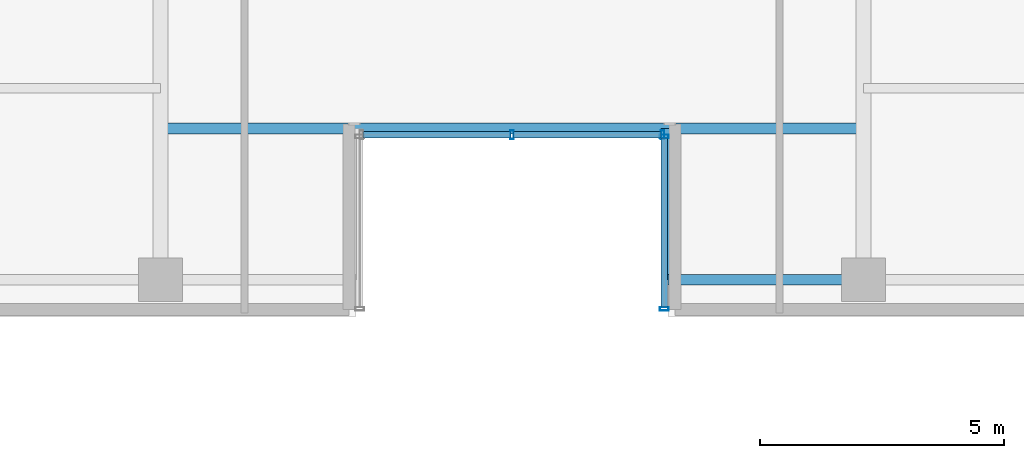
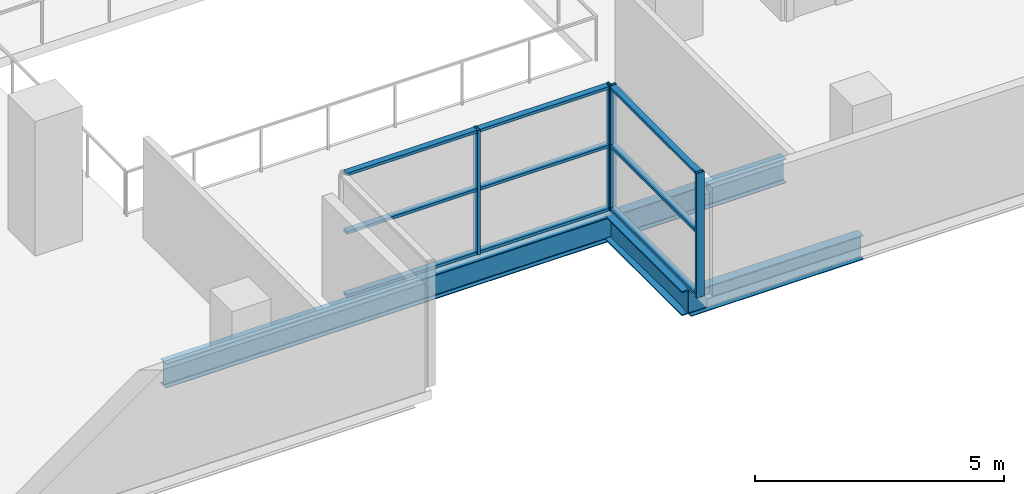
# One storey, part 9 of 30: 13 members, 3 beams, 2 elements without a shape of their own.
"""IFC4 building model written with IfcOpenShell, lengths in metres."""

from ifc_helpers import new_model, si_unit, direction, frame, origin, origin_2d, place, context, subcontext, project, spatial, hollow_rectangle, i_section, extrude, source, transform, mapped, material, layer, layer_set, material_profile, profile_set, type_object, element, aggregate, save


model = new_model("IFC4")

# Units and contexts
model_context = context("Model", 3, precision=1e-05, world=origin(), true_north=direction((0.0, 1.0)))
body_context = subcontext(model_context, "Body", "Model", "MODEL_VIEW")
ifc_project = project(units=[si_unit("LENGTHUNIT", "METRE"), si_unit("AREAUNIT", "SQUARE_METRE"), si_unit("VOLUMEUNIT", "CUBIC_METRE"), si_unit("PLANEANGLEUNIT", "RADIAN"), si_unit("MASSUNIT", "GRAM", prefix="KILO")], contexts=[model_context])

# Site, building, storey
site_placement = place(None, origin())
site = spatial("IfcSite", under=ifc_project, at=site_placement, CompositionType="ELEMENT")
building_placement = place(site_placement, origin())
building = spatial("IfcBuilding", under=site, at=building_placement, Name="Zarnakvel Exchange Tower", CompositionType="ELEMENT")
storey_placement = place(building_placement, frame((0.0, 0.0, 40.60009765625)))
storey = spatial("IfcBuildingStorey", under=building, at=storey_placement, Name="L10", CompositionType="ELEMENT", Elevation=40.60009765625)

# Beams
ifc_material_1 = material(Name="Steel S355", Category="steel")
ifc_material_profile_1 = material_profile(ifc_material_1, i_section(OverallWidth=0.300048828125, OverallDepth=0.60009765625, WebThickness=0.015380859375, FlangeThickness=0.030029296875, FilletRadius=0.027099609375, at=origin_2d()))
ifc_profile_set_1 = profile_set([ifc_material_profile_1], Name="Steel S355")
beam_type_1 = type_object("IfcBeamType", Name="G-04", PredefinedType="BEAM", material=ifc_profile_set_1)
beam_1_placement = place(storey_placement, frame((3.199951171875, -17.449951171875, -0.525146484375), z_axis=(0.0, 1.0, 0.0), x_axis=(-1.0, 0.0, 0.0)))
element("IfcBeam", 1, at=beam_1_placement, inside=storey, type_object=beam_type_1, Name="L10 South Slot East Cheek Beam", PredefinedType="BEAM", context=body_context, shape_type="SweptSolid", body=[
    extrude(i_section(OverallWidth=0.300048828125, OverallDepth=0.60009765625, WebThickness=0.015380859375, FlangeThickness=0.030029296875, FilletRadius=0.027099609375, at=origin_2d()), origin(), (0.0, 0.0, 1.0), 3.099853515625),
])
ifc_material_profile_2 = material_profile(ifc_material_1, i_section(OverallWidth=0.219970703125, OverallDepth=0.60009765625, WebThickness=0.011962890625, FlangeThickness=0.01904296875, FilletRadius=0.02392578125, at=origin_2d()))
ifc_profile_set_2 = profile_set([ifc_material_profile_2], Name="Steel S355")
beam_type_2 = type_object("IfcBeamType", Name="SP-01", PredefinedType="SPANDREL", material=ifc_profile_set_2)
beam_2_placement = place(storey_placement, frame((3.199951171875, -17.449951171875, -0.525146484375), z_axis=(1.0, 0.0, 0.0), x_axis=(0.0, 1.0, 0.0)))
element("IfcBeam", 2, at=beam_2_placement, inside=storey, type_object=beam_type_2, Name="L10 South Slot East Jamb Spandrel", PredefinedType="SPANDREL", context=body_context, shape_type="SweptSolid", body=[
    extrude(i_section(OverallWidth=0.219970703125, OverallDepth=0.60009765625, WebThickness=0.011962890625, FlangeThickness=0.01904296875, FilletRadius=0.02392578125, at=origin_2d()), origin(), (0.0, 0.0, 1.0), 4.0),
])
beam_3_placement = place(storey_placement, frame((-7.199951171875, -14.35009765625, -0.525146484375), z_axis=(1.0, 0.0, 0.0), x_axis=(0.0, 1.0, 0.0)))
element("IfcBeam", 3, at=beam_3_placement, inside=storey, type_object=beam_type_2, Name="L10 South Slot Head Trimmer Girder", PredefinedType="SPANDREL", context=body_context, shape_type="SweptSolid", body=[
    extrude(i_section(OverallWidth=0.219970703125, OverallDepth=0.60009765625, WebThickness=0.011962890625, FlangeThickness=0.01904296875, FilletRadius=0.02392578125, at=origin_2d()), origin(), (0.0, 0.0, 1.0), 14.39990234375),
])

# Curtain wall, members
ifc_material_2 = material(Name="Architectural Bronze Anodised Aluminium", Category="aluminium")
ifc_layer = layer(ifc_material_2, 0.179931640625)
ifc_layer_set = layer_set([ifc_layer], Name="Architectural Bronze Anodised Aluminium")
curtain_wall_type = type_object("IfcCurtainWallType", Name="CW-05", PredefinedType="NOTDEFINED", material=ifc_layer_set)
curtain_wall_1_placement = place(storey_placement, origin())
curtain_wall_1 = element("IfcCurtainWall", 4, at=curtain_wall_1_placement, inside=storey, type_object=curtain_wall_type, Name="L10 Curtain Wall CW-L10-SLE (CW-05)", PredefinedType="NOTDEFINED")
ifc_material_profile_3 = material_profile(ifc_material_2, hollow_rectangle(XDim=0.139892578125, YDim=0.070068359375, WallThickness=0.00390625, at=origin_2d()))
ifc_profile_set_3 = profile_set([ifc_material_profile_3], Name="Architectural Bronze Anodised Aluminium")
member_type_1 = type_object("IfcMemberType", Name="CWT-05", PredefinedType="USERDEFINED", material=ifc_profile_set_3)
shared_shape_1 = source(origin(), body_context, "Body", "SweptSolid", [
    extrude(hollow_rectangle(XDim=0.139892578125, YDim=0.070068359375, WallThickness=0.00390625, at=origin_2d()), origin(), (0.0, 0.0, 1.0), 3.4599609375),
])
member_1_placement = place(storey_placement, frame((3.1201171875, -14.550048828125, 0.034912109375), z_axis=(0.0, -1.0, 0.0), x_axis=(1.0, 0.0, 0.0)))
member_1 = element("IfcMember", 5, at=member_1_placement, type_object=member_type_1, Name="CW-05 transom 1.1", ObjectType="TRANSOM", PredefinedType="USERDEFINED", context=body_context, shape_type="MappedRepresentation", body=[
    mapped(shared_shape_1, transform((0.0, 0.0, 0.0), x_axis=(1.0, 0.0, 0.0), y_axis=(0.0, 1.0, 0.0), z_axis=(0.0, 0.0, 1.0), scale=1.0)),
])
member_2_placement = place(storey_placement, frame((3.1201171875, -14.550048828125, 1.588623046875), z_axis=(0.0, -1.0, 0.0), x_axis=(1.0, 0.0, 0.0)))
member_2 = element("IfcMember", 6, at=member_2_placement, type_object=member_type_1, Name="CW-05 transom 1.2", ObjectType="TRANSOM", PredefinedType="USERDEFINED", context=body_context, shape_type="MappedRepresentation", body=[
    mapped(shared_shape_1, transform((0.0, 0.0, 0.0), x_axis=(1.0, 0.0, 0.0), y_axis=(0.0, 1.0, 0.0), z_axis=(0.0, 0.0, 1.0), scale=1.0)),
])
member_3_placement = place(storey_placement, frame((3.1201171875, -14.550048828125, 3.02001953125), z_axis=(0.0, -1.0, 0.0), x_axis=(1.0, 0.0, 0.0)))
member_3 = element("IfcMember", 7, at=member_3_placement, type_object=member_type_1, Name="CW-05 transom 1.3", ObjectType="TRANSOM", PredefinedType="USERDEFINED", context=body_context, shape_type="MappedRepresentation", body=[
    mapped(shared_shape_1, transform((0.0, 0.0, 0.0), x_axis=(1.0, 0.0, 0.0), y_axis=(0.0, 1.0, 0.0), z_axis=(0.0, 0.0, 1.0), scale=1.0)),
])

curtain_wall_2_placement = place(storey_placement, origin())
curtain_wall_2 = element("IfcCurtainWall", 8, at=curtain_wall_2_placement, inside=storey, type_object=curtain_wall_type, Name="L10 Curtain Wall CW-L10-SLB (CW-05)", PredefinedType="NOTDEFINED")
shared_shape_2 = source(origin(), body_context, "Body", "SweptSolid", [
    extrude(hollow_rectangle(XDim=0.139892578125, YDim=0.070068359375, WallThickness=0.00390625, at=origin_2d()), origin(), (0.0, 0.0, 1.0), 3.01513671875),
])
member_4_placement = place(storey_placement, frame((-3.050048828125, -14.47998046875, 0.034912109375), z_axis=(1.0, 0.0, 0.0), x_axis=(0.0, 1.0, 0.0)))
member_4 = element("IfcMember", 9, at=member_4_placement, type_object=member_type_1, Name="CW-05 transom 1.1", ObjectType="TRANSOM", PredefinedType="USERDEFINED", context=body_context, shape_type="MappedRepresentation", body=[
    mapped(shared_shape_2, transform((0.0, 0.0, 0.0), x_axis=(1.0, 0.0, 0.0), y_axis=(0.0, 1.0, 0.0), z_axis=(0.0, 0.0, 1.0), scale=1.0)),
])
member_5_placement = place(storey_placement, frame((-3.050048828125, -14.47998046875, 1.588623046875), z_axis=(1.0, 0.0, 0.0), x_axis=(0.0, 1.0, 0.0)))
member_5 = element("IfcMember", 10, at=member_5_placement, type_object=member_type_1, Name="CW-05 transom 1.2", ObjectType="TRANSOM", PredefinedType="USERDEFINED", context=body_context, shape_type="MappedRepresentation", body=[
    mapped(shared_shape_2, transform((0.0, 0.0, 0.0), x_axis=(1.0, 0.0, 0.0), y_axis=(0.0, 1.0, 0.0), z_axis=(0.0, 0.0, 1.0), scale=1.0)),
])
member_6_placement = place(storey_placement, frame((-3.050048828125, -14.47998046875, 3.02001953125), z_axis=(1.0, 0.0, 0.0), x_axis=(0.0, 1.0, 0.0)))
member_6 = element("IfcMember", 11, at=member_6_placement, type_object=member_type_1, Name="CW-05 transom 1.3", ObjectType="TRANSOM", PredefinedType="USERDEFINED", context=body_context, shape_type="MappedRepresentation", body=[
    mapped(shared_shape_2, transform((0.0, 0.0, 0.0), x_axis=(1.0, 0.0, 0.0), y_axis=(0.0, 1.0, 0.0), z_axis=(0.0, 0.0, 1.0), scale=1.0)),
])
member_7_placement = place(storey_placement, frame((0.034912109375, -14.47998046875, 0.034912109375), z_axis=(1.0, 0.0, 0.0), x_axis=(0.0, 1.0, 0.0)))
member_7 = element("IfcMember", 12, at=member_7_placement, type_object=member_type_1, Name="CW-05 transom 2.1", ObjectType="TRANSOM", PredefinedType="USERDEFINED", context=body_context, shape_type="MappedRepresentation", body=[
    mapped(shared_shape_2, transform((0.0, 0.0, 0.0), x_axis=(1.0, 0.0, 0.0), y_axis=(0.0, 1.0, 0.0), z_axis=(0.0, 0.0, 1.0), scale=1.0)),
])
member_8_placement = place(storey_placement, frame((0.034912109375, -14.47998046875, 1.588623046875), z_axis=(1.0, 0.0, 0.0), x_axis=(0.0, 1.0, 0.0)))
member_8 = element("IfcMember", 13, at=member_8_placement, type_object=member_type_1, Name="CW-05 transom 2.2", ObjectType="TRANSOM", PredefinedType="USERDEFINED", context=body_context, shape_type="MappedRepresentation", body=[
    mapped(shared_shape_2, transform((0.0, 0.0, 0.0), x_axis=(1.0, 0.0, 0.0), y_axis=(0.0, 1.0, 0.0), z_axis=(0.0, 0.0, 1.0), scale=1.0)),
])
member_9_placement = place(storey_placement, frame((0.034912109375, -14.47998046875, 3.02001953125), z_axis=(1.0, 0.0, 0.0), x_axis=(0.0, 1.0, 0.0)))
member_9 = element("IfcMember", 14, at=member_9_placement, type_object=member_type_1, Name="CW-05 transom 2.3", ObjectType="TRANSOM", PredefinedType="USERDEFINED", context=body_context, shape_type="MappedRepresentation", body=[
    mapped(shared_shape_2, transform((0.0, 0.0, 0.0), x_axis=(1.0, 0.0, 0.0), y_axis=(0.0, 1.0, 0.0), z_axis=(0.0, 0.0, 1.0), scale=1.0)),
])
ifc_material_profile_4 = material_profile(ifc_material_2, hollow_rectangle(XDim=0.179931640625, YDim=0.070068359375, WallThickness=0.00390625, at=origin_2d()))
ifc_profile_set_4 = profile_set([ifc_material_profile_4], Name="Architectural Bronze Anodised Aluminium")
member_type_2 = type_object("IfcMemberType", Name="CWM-05", PredefinedType="MULLION", material=ifc_profile_set_4)
shared_shape_3 = source(origin(), body_context, "Body", "SweptSolid", [
    extrude(hollow_rectangle(XDim=0.179931640625, YDim=0.070068359375, WallThickness=0.00390625, at=origin_2d()), origin(), (0.0, 0.0, 1.0), 3.054931640625),
])
member_10_placement = place(storey_placement, frame((0.0, -14.47998046875, 0.0), z_axis=(0.0, 0.0, 1.0), x_axis=(0.0, 1.0, 0.0)))
member_10 = element("IfcMember", 15, at=member_10_placement, type_object=member_type_2, Name="CW-05 mullion 2", PredefinedType="MULLION", context=body_context, shape_type="MappedRepresentation", body=[
    mapped(shared_shape_3, transform((0.0, 0.0, 0.0), x_axis=(1.0, 0.0, 0.0), y_axis=(0.0, 1.0, 0.0), z_axis=(0.0, 0.0, 1.0), scale=1.0)),
])
member_11_placement = place(storey_placement, frame((3.0849609375, -14.47998046875, 0.0), z_axis=(0.0, 0.0, 1.0), x_axis=(0.0, 1.0, 0.0)))
member_11 = element("IfcMember", 16, at=member_11_placement, type_object=member_type_2, Name="CW-05 mullion 3", PredefinedType="MULLION", context=body_context, shape_type="MappedRepresentation", body=[
    mapped(shared_shape_3, transform((0.0, 0.0, 0.0), x_axis=(1.0, 0.0, 0.0), y_axis=(0.0, 1.0, 0.0), z_axis=(0.0, 0.0, 1.0), scale=1.0)),
])
aggregate(curtain_wall_2, [member_10, member_11, member_4, member_5, member_6, member_7, member_8, member_9])

# Member
member_12_placement = place(storey_placement, frame((3.1201171875, -14.514892578125, 0.0), z_axis=(0.0, 0.0, 1.0), x_axis=(1.0, 0.0, 0.0)))
member_12 = element("IfcMember", 17, at=member_12_placement, type_object=member_type_2, Name="CW-05 mullion 1", PredefinedType="MULLION", context=body_context, shape_type="MappedRepresentation", body=[
    mapped(shared_shape_3, transform((0.0, 0.0, 0.0), x_axis=(1.0, 0.0, 0.0), y_axis=(0.0, 1.0, 0.0), z_axis=(0.0, 0.0, 1.0), scale=1.0)),
])

member_13_placement = place(storey_placement, frame((3.1201171875, -18.044921875, 0.0), z_axis=(0.0, 0.0, 1.0), x_axis=(1.0, 0.0, 0.0)))
member_13 = element("IfcMember", 18, at=member_13_placement, type_object=member_type_2, Name="CW-05 mullion 2", PredefinedType="MULLION", context=body_context, shape_type="MappedRepresentation", body=[
    mapped(shared_shape_3, transform((0.0, 0.0, 0.0), x_axis=(1.0, 0.0, 0.0), y_axis=(0.0, 1.0, 0.0), z_axis=(0.0, 0.0, 1.0), scale=1.0)),
])

aggregate(curtain_wall_1, [member_12, member_13, member_1, member_2, member_3])

save(model, "model.ifc")
